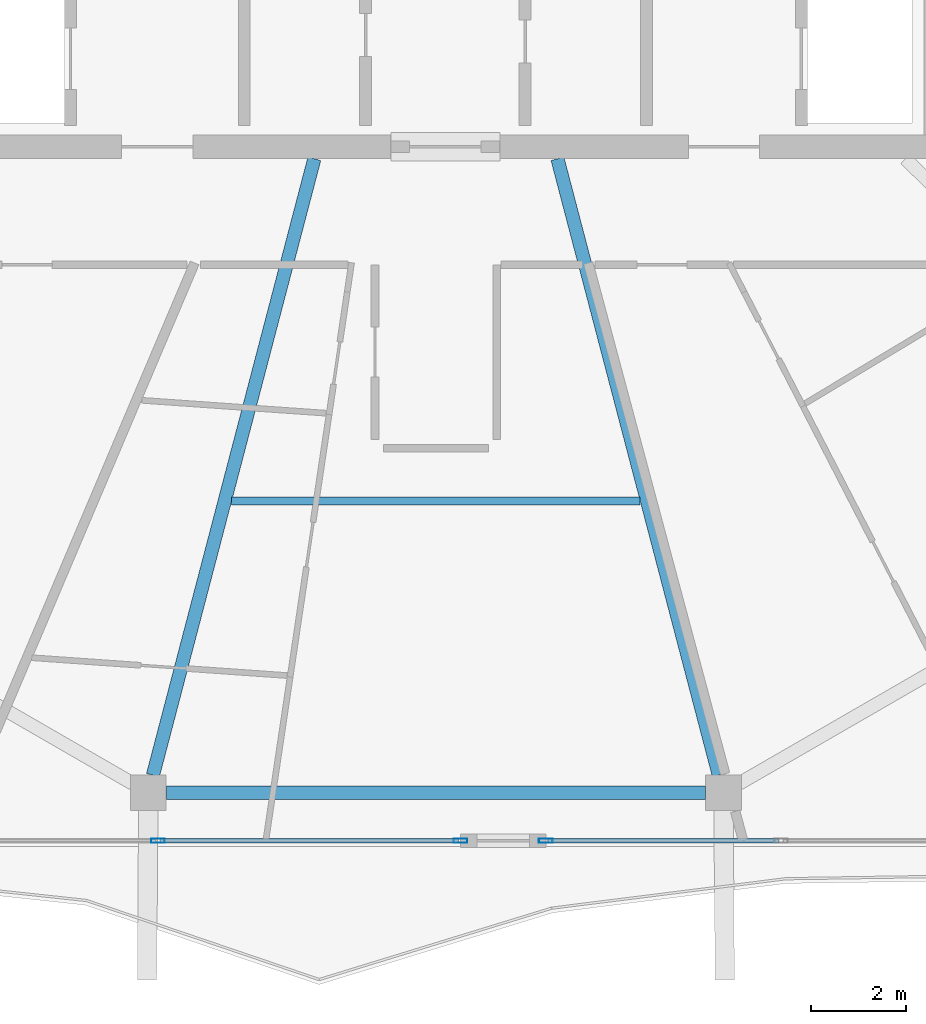
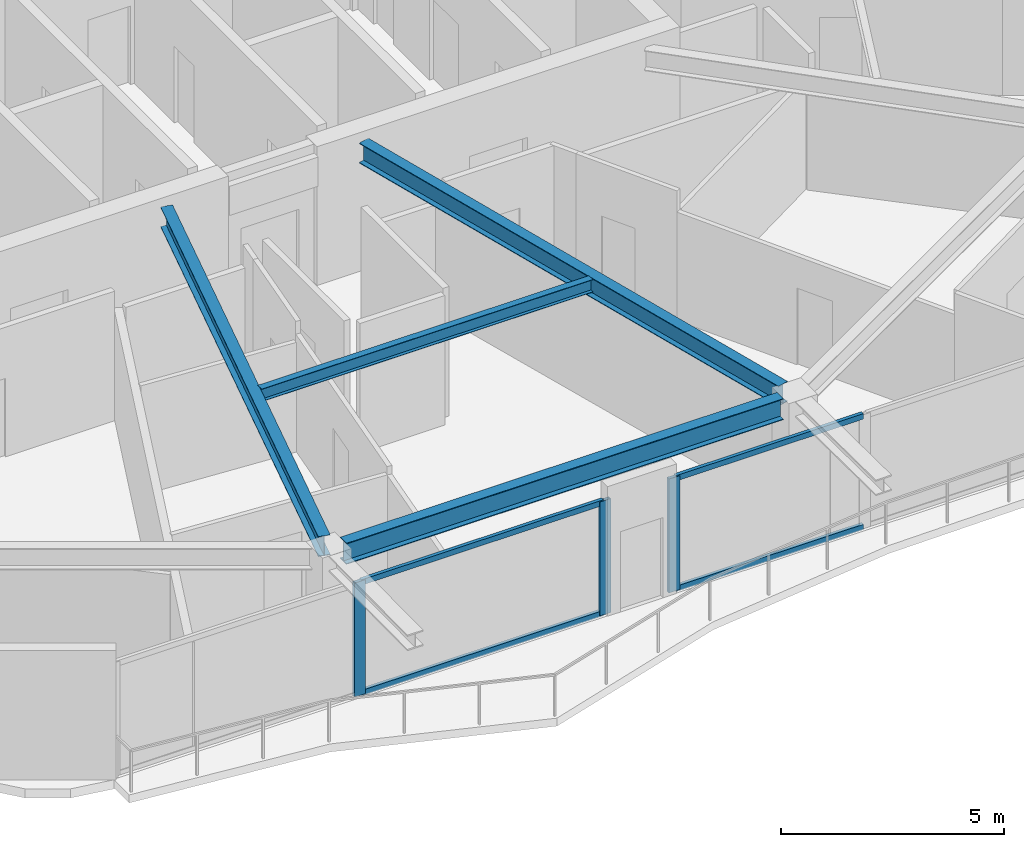
# One storey, part 3 of 21: 7 members, 4 beams, 2 elements without a shape of their own.
"""IFC4 building model written with IfcOpenShell, lengths in metres."""

from ifc_helpers import new_model, si_unit, direction, frame, origin, origin_2d, place, context, subcontext, project, spatial, hollow_rectangle, i_section, extrude, material, material_profile, profile_set, type_object, element, aggregate, save


model = new_model("IFC4")

# Units and contexts
model_context = context("Model", 3, precision=1e-05, world=origin(), true_north=direction((0.0, 1.0)))
body_context = subcontext(model_context, "Body", "Model", "MODEL_VIEW")
ifc_project = project(units=[si_unit("LENGTHUNIT", "METRE"), si_unit("AREAUNIT", "SQUARE_METRE"), si_unit("VOLUMEUNIT", "CUBIC_METRE"), si_unit("PLANEANGLEUNIT", "RADIAN"), si_unit("MASSUNIT", "GRAM", prefix="KILO")], contexts=[model_context])

# Site, building, storey
site_placement = place(None, origin())
site = spatial("IfcSite", under=ifc_project, at=site_placement, CompositionType="ELEMENT")
building_placement = place(site_placement, origin())
building = spatial("IfcBuilding", under=site, at=building_placement, Name="Zuhravey Tower", CompositionType="ELEMENT")
storey_placement = place(building_placement, frame((0.0, 0.0, 334.800048828125)))
storey = spatial("IfcBuildingStorey", under=building, at=storey_placement, Name="L85", CompositionType="ELEMENT", Elevation=334.800048828125)

# Curtain wall, member
ifc_material_1 = material(Name="Thermally broken anodised aluminium", Category="aluminium")
curtain_wall_type = type_object("IfcCurtainWallType", Name="Zone 3-4 High-Rise Curtain Wall CW4", PredefinedType="NOTDEFINED", material=ifc_material_1)
curtain_wall_1_placement = place(storey_placement, origin())
curtain_wall_1 = element("IfcCurtainWall", 1, at=curtain_wall_1_placement, inside=storey, type_object=curtain_wall_type, Name="L85 CW4 CW-L85-F5-1", PredefinedType="NOTDEFINED")
ifc_material_2 = material(Name="Anodised aluminium", Category="aluminium")
ifc_material_profile_1 = material_profile(ifc_material_2, hollow_rectangle(XDim=0.090087890625, YDim=0.284912109375, WallThickness=0.0048828125, at=origin_2d()), Name="ALU-RHS-90x285x5")
ifc_profile_set_1 = profile_set([ifc_material_profile_1], Name="Anodised aluminium")
member_type_1 = type_object("IfcMemberType", Name="Curtain-Wall Mullion 90x180", PredefinedType="MULLION", material=ifc_profile_set_1)
member_1_placement = place(storey_placement, frame((38.30712890625, 7.92578125, 0.0), z_axis=(0.0, 0.0, 1.0), x_axis=(0.0, -1.0, 0.0)))
member_1 = element("IfcMember", 2, at=member_1_placement, type_object=member_type_1, Name="CW4 mullion 3", PredefinedType="MULLION", context=body_context, shape_type="SweptSolid", body=[
    extrude(hollow_rectangle(XDim=0.090087890625, YDim=0.284912109375, WallThickness=0.0048828125, at=origin_2d()), origin(), (0.0, 0.0, 1.0), 3.1220703125),
])

# Curtain wall, members
curtain_wall_2_placement = place(storey_placement, origin())
curtain_wall_2 = element("IfcCurtainWall", 3, at=curtain_wall_2_placement, inside=storey, type_object=curtain_wall_type, Name="L85 CW4 CW-L85-F5-2", PredefinedType="NOTDEFINED")
member_2_placement = place(storey_placement, frame((36.51708984375, 7.92578125, 0.0), z_axis=(0.0, 0.0, 1.0), x_axis=(0.0, -1.0, 0.0)))
member_2 = element("IfcMember", 4, at=member_2_placement, type_object=member_type_1, Name="CW4 mullion 1", PredefinedType="MULLION", context=body_context, shape_type="SweptSolid", body=[
    extrude(hollow_rectangle(XDim=0.090087890625, YDim=0.284912109375, WallThickness=0.0048828125, at=origin_2d()), origin(), (0.0, 0.0, 1.0), 3.1220703125),
])
member_3_placement = place(storey_placement, frame((30.161376953125, 7.92578125, 0.0), z_axis=(0.0, 0.0, 1.0), x_axis=(0.0, -1.0, 0.0)))
member_3 = element("IfcMember", 5, at=member_3_placement, type_object=member_type_1, Name="CW4 mullion 2", PredefinedType="MULLION", context=body_context, shape_type="SweptSolid", body=[
    extrude(hollow_rectangle(XDim=0.090087890625, YDim=0.284912109375, WallThickness=0.0048828125, at=origin_2d()), origin(), (0.0, 0.0, 1.0), 3.1220703125),
])

# Member
ifc_material_profile_2 = material_profile(ifc_material_2, hollow_rectangle(XDim=0.090087890625, YDim=0.14990234375, WallThickness=0.0048828125, at=origin_2d()), Name="ALU-RHS-90x150x5")
ifc_profile_set_2 = profile_set([ifc_material_profile_2], Name="Anodised aluminium")
member_type_2 = type_object("IfcMemberType", Name="Curtain-Wall Transom 90x150", PredefinedType="USERDEFINED", material=ifc_profile_set_2)
member_4_placement = place(storey_placement, frame((43.205810546875, 7.92578125, 0.044921875), z_axis=(-1.0, 0.0, 0.0), x_axis=(0.0, -1.0, 0.0)))
member_4 = element("IfcMember", 6, at=member_4_placement, type_object=member_type_2, Name="CW4 transom 2.1", ObjectType="TRANSOM", PredefinedType="USERDEFINED", context=body_context, shape_type="SweptSolid", body=[
    extrude(hollow_rectangle(XDim=0.090087890625, YDim=0.14990234375, WallThickness=0.0048828125, at=origin_2d()), origin(), (0.0, 0.0, 1.0), 4.853759765625),
])

member_5_placement = place(storey_placement, frame((43.205810546875, 7.92578125, 3.076904296875), z_axis=(-1.0, 0.0, 0.0), x_axis=(0.0, -1.0, 0.0)))
member_5 = element("IfcMember", 7, at=member_5_placement, type_object=member_type_2, Name="CW4 transom 2.2", ObjectType="TRANSOM", PredefinedType="USERDEFINED", context=body_context, shape_type="SweptSolid", body=[
    extrude(hollow_rectangle(XDim=0.090087890625, YDim=0.14990234375, WallThickness=0.0048828125, at=origin_2d()), origin(), (0.0, 0.0, 1.0), 4.853759765625),
])

aggregate(curtain_wall_1, [member_1, member_4, member_5])

member_6_placement = place(storey_placement, frame((36.47216796875, 7.92578125, 0.044921875), z_axis=(-1.0, 0.0, 0.0), x_axis=(0.0, -1.0, 0.0)))
member_6 = element("IfcMember", 8, at=member_6_placement, type_object=member_type_2, Name="CW4 transom 1.1", ObjectType="TRANSOM", PredefinedType="USERDEFINED", context=body_context, shape_type="SweptSolid", body=[
    extrude(hollow_rectangle(XDim=0.090087890625, YDim=0.14990234375, WallThickness=0.0048828125, at=origin_2d()), origin(), (0.0, 0.0, 1.0), 6.265869140625),
])

member_7_placement = place(storey_placement, frame((36.47216796875, 7.92578125, 3.076904296875), z_axis=(-1.0, 0.0, 0.0), x_axis=(0.0, -1.0, 0.0)))
member_7 = element("IfcMember", 9, at=member_7_placement, type_object=member_type_2, Name="CW4 transom 1.2", ObjectType="TRANSOM", PredefinedType="USERDEFINED", context=body_context, shape_type="SweptSolid", body=[
    extrude(hollow_rectangle(XDim=0.090087890625, YDim=0.14990234375, WallThickness=0.0048828125, at=origin_2d()), origin(), (0.0, 0.0, 1.0), 6.265869140625),
])

aggregate(curtain_wall_2, [member_2, member_3, member_6, member_7])

# Beams
ifc_material_3 = material(Name="Steel SM355", Category="steel")
ifc_material_profile_3 = material_profile(ifc_material_3, i_section(OverallWidth=0.280029296875, OverallDepth=0.580078125, WebThickness=0.011962890625, FlangeThickness=0.01904296875, at=origin_2d()), Name="H-580x280x12x19")
ifc_profile_set_3 = profile_set([ifc_material_profile_3], Name="Steel SM355")
beam_type_1 = type_object("IfcBeamType", Name="Perimeter Ring Beam H580x280", PredefinedType="BEAM", material=ifc_profile_set_3)
beam_1_placement = place(storey_placement, frame((30.33935546875, 8.935791015625, 3.260009765625), z_axis=(1.0, 0.0, 0.0), x_axis=(0.0, 1.0, 0.0)))
element("IfcBeam", 10, at=beam_1_placement, inside=storey, type_object=beam_type_1, Name="L85 PB4 BM-L85-PB-09", PredefinedType="BEAM", context=body_context, shape_type="SweptSolid", body=[
    extrude(i_section(OverallWidth=0.280029296875, OverallDepth=0.580078125, WebThickness=0.011962890625, FlangeThickness=0.01904296875, at=origin_2d()), origin(), (0.0, 0.0, 1.0), 11.3212890625),
])
ifc_material_profile_4 = material_profile(ifc_material_3, i_section(OverallWidth=0.280029296875, OverallDepth=0.550048828125, WebThickness=0.010986328125, FlangeThickness=0.01806640625, at=origin_2d()), Name="H-550x280x11x18")
ifc_profile_set_4 = profile_set([ifc_material_profile_4], Name="Steel SM355")
beam_type_2 = type_object("IfcBeamType", Name="Radial Primary Girder H550x280", PredefinedType="BEAM", material=ifc_profile_set_4)
for number, where, z_axis, x_axis, name in (
    (11, (33.446533203125, 22.2470703125, 3.27490234375), (-0.253282562653, -0.967392342049, 0.0), (0.967392342049, -0.253282562653, 0.0), "L85 RG4 BM-L85-RAD-09"),
    (12, (38.553466796875, 22.2470703125, 3.27490234375), (0.253282562653, -0.967392342049, 0.0), (0.967392342049, 0.253282562653, 0.0), "L85 RG4 BM-L85-RAD-10"),
):
    element("IfcBeam", number, at=place(storey_placement, frame(where, z_axis=z_axis, x_axis=x_axis)), inside=storey, type_object=beam_type_2, Name=name, PredefinedType="BEAM", context=body_context, shape_type="SweptSolid", body=[
        extrude(i_section(OverallWidth=0.280029296875, OverallDepth=0.550048828125, WebThickness=0.010986328125, FlangeThickness=0.01806640625, at=origin_2d()), origin(), (0.0, 0.0, 1.0), 13.3818359375),
    ])
ifc_material_profile_5 = material_profile(ifc_material_3, i_section(OverallWidth=0.175048828125, OverallDepth=0.35009765625, WebThickness=0.007080078125, FlangeThickness=0.010986328125, at=origin_2d()), Name="H-350x175x7x11")
ifc_profile_set_5 = profile_set([ifc_material_profile_5], Name="Steel SM355")
beam_type_3 = type_object("IfcBeamType", Name="Secondary Floor Joist H350x175", PredefinedType="JOIST", material=ifc_profile_set_5)
beam_2_placement = place(storey_placement, frame((31.70849609375, 15.05908203125, 3.375), z_axis=(1.0, 0.0, 0.0), x_axis=(0.0, 1.0, 0.0)))
element("IfcBeam", 13, at=beam_2_placement, inside=storey, type_object=beam_type_3, Name="L85 SJ3 BM-L85-SJ-09-1", PredefinedType="JOIST", context=body_context, shape_type="SweptSolid", body=[
    extrude(i_section(OverallWidth=0.175048828125, OverallDepth=0.35009765625, WebThickness=0.007080078125, FlangeThickness=0.010986328125, at=origin_2d()), origin(), (0.0, 0.0, 1.0), 8.5830078125),
])

save(model, "model.ifc")
